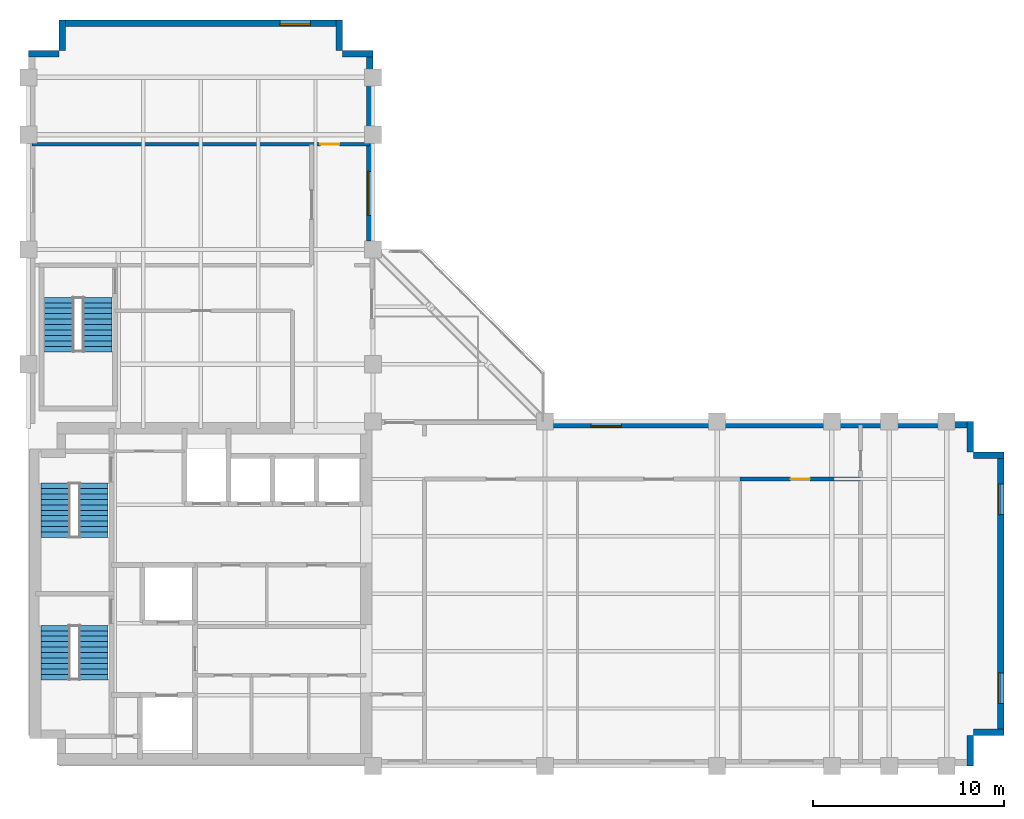
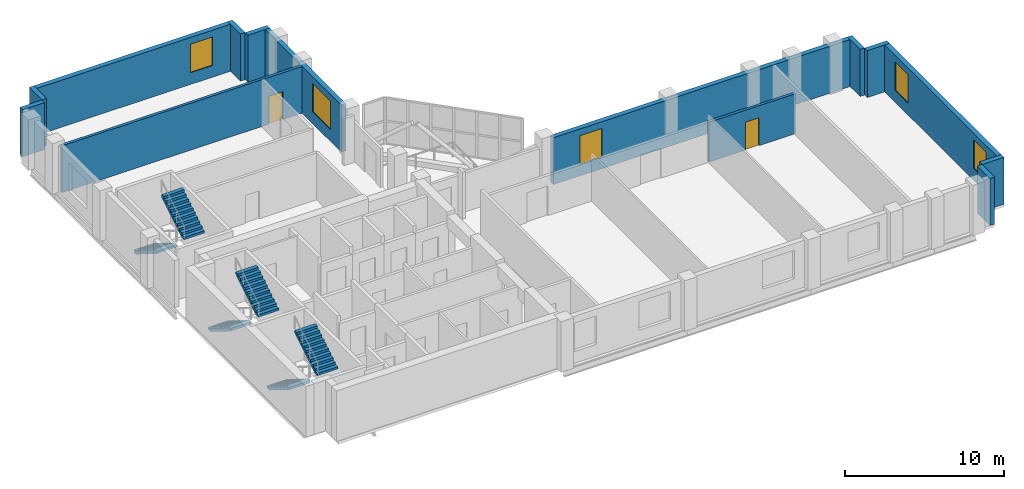
# One storey, part 7 of 9: 14 walls, 6 stair flights, 5 windows, 2 doors, 7 openings, 3 elements without a shape of their own.
"""IFC4 building model written with IfcOpenShell, lengths in metres."""

from ifc_helpers import new_model, si_unit, direction, frame, frame_2d, origin, place, context, subcontext, project, spatial, polyline, rectangle, outline, extrude, material, layer, layer_set, type_object, element, fill, aggregate, save


model = new_model("IFC4")

# Units and contexts
model_context = context("Model", 3, precision=1e-05, world=origin(), true_north=direction((0.0, 1.0)))
body_context = subcontext(model_context, "Body", "Model", "MODEL_VIEW")
ifc_project = project(units=[si_unit("LENGTHUNIT", "METRE"), si_unit("AREAUNIT", "SQUARE_METRE"), si_unit("VOLUMEUNIT", "CUBIC_METRE"), si_unit("PLANEANGLEUNIT", "RADIAN"), si_unit("MASSUNIT", "GRAM", prefix="KILO")], contexts=[model_context])

# Site, building, storey
site_placement = place(None, origin())
site = spatial("IfcSite", under=ifc_project, at=site_placement, CompositionType="ELEMENT")
building_placement = place(site_placement, origin())
building = spatial("IfcBuilding", under=site, at=building_placement, Name="Mawjdan Bourse Tower", CompositionType="ELEMENT")
storey_placement = place(building_placement, frame((0.0, 0.0, 222.89990234375)))
storey = spatial("IfcBuildingStorey", under=building, at=storey_placement, Name="L54", CompositionType="ELEMENT", Elevation=222.89990234375)

# Walls
ifc_material_1 = material(Name="Brick Masonry Buff", Category="masonry")
ifc_layer_1 = layer(ifc_material_1, 0.340087890625)
ifc_layer_set_1 = layer_set([ifc_layer_1], Name="Brick Masonry Buff")
wall_type_1 = type_object("IfcWallType", Name="WL-BRK-SPN-340", PredefinedType="STANDARD", material=ifc_layer_set_1)
for number, where, z_axis, x_axis, name in (
    (1, (55.22998046875, 3.0, 0.0), (0.0, 0.0, 1.0), (0.0, 1.0, 0.0), "L54 Exterior Brick Wall 2"),
    (2, (55.39990234375, 4.77001953125, 0.0), (0.0, 0.0, 1.0), (1.0, 0.0, 0.0), "L54 Exterior Brick Wall 3"),
):
    element("IfcWall", number, at=place(storey_placement, frame(where, z_axis=z_axis, x_axis=x_axis)), inside=storey, type_object=wall_type_1, Name=name, PredefinedType="STANDARD", context=body_context, shape_type="SweptSolid", body=[
        extrude(rectangle(XDim=1.60009765625, YDim=0.340087890625, at=frame_2d((0.800048828125, 0.0))), origin(), (0.0, 0.0, 1.0), 3.6201171875),
    ])

# Wall, openings, windows
wall_1_placement = place(storey_placement, frame((56.830078125, 4.60009765625, 0.0), z_axis=(0.0, 0.0, 1.0), x_axis=(0.0, 1.0, 0.0)))
wall_1 = element("IfcWall", 3, at=wall_1_placement, inside=storey, type_object=wall_type_1, Name="L54 Exterior Brick Wall 4", PredefinedType="STANDARD", context=body_context, shape_type="SweptSolid", body=[
    extrude(rectangle(XDim=14.7998046875, YDim=0.340087890625, at=frame_2d((7.39990234375, 0.0))), origin(), (0.0, 0.0, 1.0), 3.6201171875),
])
opening_1_placement = place(wall_1_placement, frame((1.666748046875, 0.0, 0.89990234375)))
opening_1 = element("IfcOpeningElement", 4, at=opening_1_placement, cuts=wall_1, Name="Opening W-L54-03", PredefinedType="OPENING", context=body_context, shape_type="SweptSolid", body=[
    extrude(rectangle(XDim=1.60009765625, YDim=2.199951171875, at=frame_2d((0.800048828125, 1.10009765625))), frame((0.0, 0.18017578125, 0.0), z_axis=(0.0, -1.0, 0.0), x_axis=(1.0, 0.0, 0.0)), (0.0, 0.0, 1.0), 0.360107421875),
])
opening_2_placement = place(wall_1_placement, frame((11.533203125, 0.0, 0.89990234375)))
opening_2 = element("IfcOpeningElement", 5, at=opening_2_placement, cuts=wall_1, Name="Opening W-L54-04", PredefinedType="OPENING", context=body_context, shape_type="SweptSolid", body=[
    extrude(rectangle(XDim=1.60009765625, YDim=2.199951171875, at=frame_2d((0.800048828125, 1.10009765625))), frame((0.0, 0.18017578125, 0.0), z_axis=(0.0, -1.0, 0.0), x_axis=(1.0, 0.0, 0.0)), (0.0, 0.0, 1.0), 0.360107421875),
])
ifc_material_2 = material(Name="Solar-Control Clear Double Glazing", Category="glass")
window_type_1 = type_object("IfcWindowType", Name="WN-Z3-1600", PartitioningType="SINGLE_PANEL", PredefinedType="WINDOW", material=ifc_material_2)
window_1_placement = place(opening_1_placement, origin())
window_1 = element("IfcWindow", 6, at=window_1_placement, inside=storey, type_object=window_type_1, Name="L54 Deep-Set Masonry Window W-L54-03", OverallHeight=2.199951171875, OverallWidth=1.60009765625, PartitioningType="SINGLE_PANEL", PredefinedType="WINDOW", context=body_context, shape_type="SweptSolid", body=[
    extrude(rectangle(XDim=1.60009765625, YDim=2.199951171875, at=frame_2d((0.800048828125, 1.10009765625))), frame((0.0, 0.110107421875, 0.0), z_axis=(0.0, -1.0, 0.0), x_axis=(1.0, 0.0, 0.0)), (0.0, 0.0, 1.0), 0.06005859375),
])
fill(opening_1, window_1)
window_2_placement = place(opening_2_placement, origin())
window_2 = element("IfcWindow", 7, at=window_2_placement, inside=storey, type_object=window_type_1, Name="L54 Deep-Set Masonry Window W-L54-04", OverallHeight=2.199951171875, OverallWidth=1.60009765625, PartitioningType="SINGLE_PANEL", PredefinedType="WINDOW", context=body_context, shape_type="SweptSolid", body=[
    extrude(rectangle(XDim=1.60009765625, YDim=2.199951171875, at=frame_2d((0.800048828125, 1.10009765625))), frame((0.0, 0.110107421875, 0.0), z_axis=(0.0, -1.0, 0.0), x_axis=(1.0, 0.0, 0.0)), (0.0, 0.0, 1.0), 0.06005859375),
])
fill(opening_2, window_2)

# Walls
for number, where, z_axis, x_axis, name in (
    (8, (57.0, 19.22998046875, 0.0), (0.0, 0.0, 1.0), (-1.0, 0.0, 0.0), "L54 Exterior Brick Wall 5"),
    (9, (55.22998046875, 19.39990234375, 0.0), (0.0, 0.0, 1.0), (0.0, 1.0, 0.0), "L54 Exterior Brick Wall 6"),
):
    element("IfcWall", number, at=place(storey_placement, frame(where, z_axis=z_axis, x_axis=x_axis)), inside=storey, type_object=wall_type_1, Name=name, PredefinedType="STANDARD", context=body_context, shape_type="SweptSolid", body=[
        extrude(rectangle(XDim=1.60009765625, YDim=0.340087890625, at=frame_2d((0.800048828125, 0.0))), origin(), (0.0, 0.0, 1.0), 3.6201171875),
    ])

# Wall, opening, window
wall_2_placement = place(storey_placement, frame((55.39990234375, 20.830078125, 0.0), z_axis=(0.0, 0.0, 1.0), x_axis=(-1.0, 0.0, 0.0)))
wall_2 = element("IfcWall", 10, at=wall_2_placement, inside=storey, type_object=wall_type_1, Name="L54 Exterior Brick Wall 7", PredefinedType="STANDARD", context=body_context, shape_type="SweptSolid", body=[
    extrude(rectangle(XDim=21.949951171875, YDim=0.340087890625, at=frame_2d((10.97509765625, 0.0))), origin(), (0.0, 0.0, 1.0), 3.6201171875),
])
opening_3_placement = place(wall_2_placement, frame((18.40625, 0.0, 0.89990234375)))
opening_3 = element("IfcOpeningElement", 11, at=opening_3_placement, cuts=wall_2, Name="Opening W-L54-05", PredefinedType="OPENING", context=body_context, shape_type="SweptSolid", body=[
    extrude(rectangle(XDim=1.60009765625, YDim=2.199951171875, at=frame_2d((0.800048828125, 1.10009765625))), frame((0.0, 0.18017578125, 0.0), z_axis=(0.0, -1.0, 0.0), x_axis=(1.0, 0.0, 0.0)), (0.0, 0.0, 1.0), 0.360107421875),
])
window_3_placement = place(opening_3_placement, origin())
window_3 = element("IfcWindow", 12, at=window_3_placement, inside=storey, type_object=window_type_1, Name="L54 Deep-Set Masonry Window W-L54-05", OverallHeight=2.199951171875, OverallWidth=1.60009765625, PartitioningType="SINGLE_PANEL", PredefinedType="WINDOW", context=body_context, shape_type="SweptSolid", body=[
    extrude(rectangle(XDim=1.60009765625, YDim=2.199951171875, at=frame_2d((0.800048828125, 1.10009765625))), frame((0.0, 0.110107421875, 0.0), z_axis=(0.0, -1.0, 0.0), x_axis=(1.0, 0.0, 0.0)), (0.0, 0.0, 1.0), 0.06005859375),
])
fill(opening_3, window_3)

wall_3_placement = place(storey_placement, frame((23.830078125, 30.449951171875, 0.0), z_axis=(0.0, 0.0, 1.0), x_axis=(0.0, 1.0, 0.0)))
wall_3 = element("IfcWall", 13, at=wall_3_placement, inside=storey, type_object=wall_type_1, Name="L54 Exterior Brick Wall 8", PredefinedType="STANDARD", context=body_context, shape_type="SweptSolid", body=[
    extrude(rectangle(XDim=9.949951171875, YDim=0.340087890625, at=frame_2d((4.97509765625, 0.0))), origin(), (0.0, 0.0, 1.0), 3.6201171875),
])
opening_4_placement = place(wall_3_placement, frame((1.33740234375, 0.0, 0.89990234375)))
opening_4 = element("IfcOpeningElement", 14, at=opening_4_placement, cuts=wall_3, Name="Opening W-L54-06", PredefinedType="OPENING", context=body_context, shape_type="SweptSolid", body=[
    extrude(rectangle(XDim=2.300048828125, YDim=2.199951171875, at=frame_2d((1.14990234375, 1.10009765625))), frame((0.0, 0.18017578125, 0.0), z_axis=(0.0, -1.0, 0.0), x_axis=(1.0, 0.0, 0.0)), (0.0, 0.0, 1.0), 0.360107421875),
])
window_type_2 = type_object("IfcWindowType", Name="WN-Z3-2300", PartitioningType="SINGLE_PANEL", PredefinedType="WINDOW", material=ifc_material_2)
window_4_placement = place(opening_4_placement, origin())
window_4 = element("IfcWindow", 15, at=window_4_placement, inside=storey, type_object=window_type_2, Name="L54 Deep-Set Masonry Window W-L54-06", OverallHeight=2.199951171875, OverallWidth=2.300048828125, PartitioningType="SINGLE_PANEL", PredefinedType="WINDOW", context=body_context, shape_type="SweptSolid", body=[
    extrude(rectangle(XDim=2.300048828125, YDim=2.199951171875, at=frame_2d((1.14990234375, 1.10009765625))), frame((0.0, 0.110107421875, 0.0), z_axis=(0.0, -1.0, 0.0), x_axis=(1.0, 0.0, 0.0)), (0.0, 0.0, 1.0), 0.06005859375),
])
fill(opening_4, window_4)

# Walls
for number, where, z_axis, x_axis, name in (
    (16, (24.0, 40.22998046875, 0.0), (0.0, 0.0, 1.0), (-1.0, 0.0, 0.0), "L54 Exterior Brick Wall 9"),
    (17, (22.22998046875, 40.39990234375, 0.0), (0.0, 0.0, 1.0), (0.0, 1.0, 0.0), "L54 Exterior Brick Wall 10"),
):
    element("IfcWall", number, at=place(storey_placement, frame(where, z_axis=z_axis, x_axis=x_axis)), inside=storey, type_object=wall_type_1, Name=name, PredefinedType="STANDARD", context=body_context, shape_type="SweptSolid", body=[
        extrude(rectangle(XDim=1.60009765625, YDim=0.340087890625, at=frame_2d((0.800048828125, 0.0))), origin(), (0.0, 0.0, 1.0), 3.6201171875),
    ])

# Wall, opening, window
wall_4_placement = place(storey_placement, frame((22.39990234375, 41.830078125, 0.0), z_axis=(0.0, 0.0, 1.0), x_axis=(-1.0, 0.0, 0.0)))
wall_4 = element("IfcWall", 18, at=wall_4_placement, inside=storey, type_object=wall_type_1, Name="L54 Exterior Brick Wall 11", PredefinedType="STANDARD", context=body_context, shape_type="SweptSolid", body=[
    extrude(rectangle(XDim=14.7998046875, YDim=0.340087890625, at=frame_2d((7.39990234375, 0.0))), origin(), (0.0, 0.0, 1.0), 3.6201171875),
])
opening_5_placement = place(wall_4_placement, frame((1.666748046875, 0.0, 0.89990234375)))
opening_5 = element("IfcOpeningElement", 19, at=opening_5_placement, cuts=wall_4, Name="Opening W-L54-07", PredefinedType="OPENING", context=body_context, shape_type="SweptSolid", body=[
    extrude(rectangle(XDim=1.60009765625, YDim=2.199951171875, at=frame_2d((0.800048828125, 1.10009765625))), frame((0.0, 0.18017578125, 0.0), z_axis=(0.0, -1.0, 0.0), x_axis=(1.0, 0.0, 0.0)), (0.0, 0.0, 1.0), 0.360107421875),
])
window_5_placement = place(opening_5_placement, origin())
window_5 = element("IfcWindow", 20, at=window_5_placement, inside=storey, type_object=window_type_1, Name="L54 Deep-Set Masonry Window W-L54-07", OverallHeight=2.199951171875, OverallWidth=1.60009765625, PartitioningType="SINGLE_PANEL", PredefinedType="WINDOW", context=body_context, shape_type="SweptSolid", body=[
    extrude(rectangle(XDim=1.60009765625, YDim=2.199951171875, at=frame_2d((0.800048828125, 1.10009765625))), frame((0.0, 0.110107421875, 0.0), z_axis=(0.0, -1.0, 0.0), x_axis=(1.0, 0.0, 0.0)), (0.0, 0.0, 1.0), 0.06005859375),
])
fill(opening_5, window_5)

# Walls
for number, where, z_axis, x_axis, name in (
    (21, (7.77001953125, 42.0, 0.0), (0.0, 0.0, 1.0), (0.0, -1.0, 0.0), "L54 Exterior Brick Wall 12"),
    (22, (7.60009765625, 40.22998046875, 0.0), (0.0, 0.0, 1.0), (-1.0, 0.0, 0.0), "L54 Exterior Brick Wall 13"),
):
    element("IfcWall", number, at=place(storey_placement, frame(where, z_axis=z_axis, x_axis=x_axis)), inside=storey, type_object=wall_type_1, Name=name, PredefinedType="STANDARD", context=body_context, shape_type="SweptSolid", body=[
        extrude(rectangle(XDim=1.60009765625, YDim=0.340087890625, at=frame_2d((0.800048828125, 0.0))), origin(), (0.0, 0.0, 1.0), 3.6201171875),
    ])

# Wall, opening, door
ifc_material_3 = material(Name="Gypsum Fireboard Assembly")
ifc_layer_2 = layer(ifc_material_3, 0.199951171875)
ifc_layer_set_2 = layer_set([ifc_layer_2], Name="Gypsum Fireboard Assembly")
wall_type_2 = type_object("IfcWallType", Name="WL-CMP-200", PredefinedType="PARTITIONING", material=ifc_layer_set_2)
wall_5_placement = place(storey_placement, frame((43.199951171875, 18.0, 0.0), z_axis=(0.0, 0.0, 1.0), x_axis=(1.0, 0.0, 0.0)))
wall_5 = element("IfcWall", 23, at=wall_5_placement, inside=storey, type_object=wall_type_2, Name="L54 Executive Office Corridor Wall", PredefinedType="PARTITIONING", context=body_context, shape_type="SweptSolid", body=[
    extrude(rectangle(XDim=6.300048828125, YDim=0.199951171875, at=frame_2d((3.14990234375, 0.0))), origin(), (0.0, 0.0, 1.0), 3.072998046875),
])
opening_6_placement = place(wall_5_placement, frame((2.64990234375, 0.0, 0.0)))
opening_6 = element("IfcOpeningElement", 24, at=opening_6_placement, cuts=wall_5, Name="Opening D-L54-25", PredefinedType="OPENING", context=body_context, shape_type="SweptSolid", body=[
    extrude(rectangle(XDim=1.0, YDim=2.14990234375, at=frame_2d((0.5, 1.074951171875))), frame((0.0, 0.10986328125, 0.0), z_axis=(0.0, -1.0, 0.0), x_axis=(1.0, 0.0, 0.0)), (0.0, 0.0, 1.0), 0.219970703125),
])
ifc_material_4 = material(Name="Hardwood Acoustic Leaf", Category="wood")
door_type = type_object("IfcDoorType", Name="DR-OFC-1000", OperationType="NOTDEFINED", PredefinedType="DOOR", material=ifc_material_4)
door_1_placement = place(opening_6_placement, origin())
door_1 = element("IfcDoor", 25, at=door_1_placement, inside=storey, type_object=door_type, Name="L54 Executive Office Door D-L54-25", OperationType="SINGLE_SWING_LEFT", OverallHeight=2.14990234375, OverallWidth=1.0, PredefinedType="DOOR", context=body_context, shape_type="SweptSolid", body=[
    extrude(rectangle(XDim=1.0, YDim=2.14990234375, at=frame_2d((0.5, 1.074951171875))), frame((0.0, 0.02490234375, 0.0), z_axis=(0.0, -1.0, 0.0), x_axis=(1.0, 0.0, 0.0)), (0.0, 0.0, 1.0), 0.050048828125),
])
fill(opening_6, door_1)

wall_6_placement = place(storey_placement, frame((6.179931640625, 35.5, 0.0), z_axis=(0.0, 0.0, 1.0), x_axis=(1.0, 0.0, 0.0)))
wall_6 = element("IfcWall", 26, at=wall_6_placement, inside=storey, type_object=wall_type_2, Name="L54 North Tip Full Cross Wall", PredefinedType="PARTITIONING", context=body_context, shape_type="SweptSolid", body=[
    extrude(rectangle(XDim=17.64013671875, YDim=0.199951171875, at=frame_2d((8.820068359375, 0.0))), origin(), (0.0, 0.0, 1.0), 3.610107421875),
])
opening_7_placement = place(wall_6_placement, frame((15.074951171875, 0.0, 0.0)))
opening_7 = element("IfcOpeningElement", 27, at=opening_7_placement, cuts=wall_6, Name="Opening D-L54-29", PredefinedType="OPENING", context=body_context, shape_type="SweptSolid", body=[
    extrude(rectangle(XDim=1.0, YDim=2.14990234375, at=frame_2d((0.5, 1.074951171875))), frame((0.0, 0.10986328125, 0.0), z_axis=(0.0, -1.0, 0.0), x_axis=(1.0, 0.0, 0.0)), (0.0, 0.0, 1.0), 0.219970703125),
])
door_2_placement = place(opening_7_placement, origin())
door_2 = element("IfcDoor", 28, at=door_2_placement, inside=storey, type_object=door_type, Name="L54 North Tip Suite Door D-L54-29", OperationType="SINGLE_SWING_RIGHT", OverallHeight=2.14990234375, OverallWidth=1.0, PredefinedType="DOOR", context=body_context, shape_type="SweptSolid", body=[
    extrude(rectangle(XDim=1.0, YDim=2.14990234375, at=frame_2d((0.5, 1.074951171875))), frame((0.0, 0.02490234375, 0.0), z_axis=(0.0, -1.0, 0.0), x_axis=(1.0, 0.0, 0.0)), (0.0, 0.0, 1.0), 0.050048828125),
])
fill(opening_7, door_2)

# Stair, stair flights
ifc_material_5 = material(Name="Concrete C50/60", Category="concrete")
stair_type = type_object("IfcStairType", Name="STR-CORE-1500", PredefinedType="HALF_TURN_STAIR", material=ifc_material_5)
stair_1_placement = place(storey_placement, origin())
stair_1 = element("IfcStair", 29, at=stair_1_placement, inside=storey, type_object=stair_type, Name="L54 Exit Stair 1 (Core South-West)", PredefinedType="HALF_TURN_STAIR")
stair_flight_type = type_object("IfcStairFlightType", Name="SFL-RC-1500", PredefinedType="STRAIGHT", material=ifc_material_5)
stair_flight_1_placement = place(storey_placement, frame((7.389892578125, 10.35009765625, 0.0), z_axis=(0.0, 0.0, 1.0), x_axis=(0.0, -1.0, 0.0)))
stair_flight_1 = element("IfcStairFlight", 30, at=stair_flight_1_placement, type_object=stair_flight_type, Name="ST1-L54 flight 1", NumberOfRisers=11, NumberOfTreads=10, PredefinedType="STRAIGHT", RiserHeight=0.177273, TreadLength=0.285, context=body_context, shape_type="SweptSolid", body=[
    extrude(outline(polyline([(0.0, 0.0), (0.0, 0.17724609375), (0.284912109375, 0.17724609375), (0.284912109375, 0.3544921875), (0.570068359375, 0.3544921875), (0.570068359375, 0.53173828125), (0.85498046875, 0.53173828125), (0.85498046875, 0.708984375), (1.139892578125, 0.708984375), (1.139892578125, 0.886474609375), (1.425048828125, 0.886474609375), (1.425048828125, 1.063720703125), (1.7099609375, 1.063720703125), (1.7099609375, 1.240966796875), (1.9951171875, 1.240966796875), (1.9951171875, 1.418212890625), (2.280029296875, 1.418212890625), (2.280029296875, 1.595458984375), (2.56494140625, 1.595458984375), (2.56494140625, 1.772705078125), (2.85009765625, 1.772705078125), (2.85009765625, 1.949951171875), (2.85009765625, 1.58447265625), (0.302734375, 0.0), (0.0, 0.0)])), frame((0.0, 0.75, 0.0), z_axis=(0.0, -1.0, 0.0), x_axis=(1.0, 0.0, 0.0)), (0.0, 0.0, 1.0), 1.5),
])
stair_flight_2_placement = place(storey_placement, frame((9.409912109375, 7.5, 1.9501953125), z_axis=(0.0, 0.0, 1.0), x_axis=(0.0, 1.0, 0.0)))
stair_flight_2 = element("IfcStairFlight", 31, at=stair_flight_2_placement, type_object=stair_flight_type, Name="ST1-L54 flight 2", NumberOfRisers=11, NumberOfTreads=10, PredefinedType="STRAIGHT", RiserHeight=0.177273, TreadLength=0.285, context=body_context, shape_type="SweptSolid", body=[
    extrude(outline(polyline([(0.0, 0.0), (0.0, 0.17724609375), (0.284912109375, 0.17724609375), (0.284912109375, 0.3544921875), (0.570068359375, 0.3544921875), (0.570068359375, 0.53173828125), (0.85498046875, 0.53173828125), (0.85498046875, 0.708984375), (1.139892578125, 0.708984375), (1.139892578125, 0.886474609375), (1.425048828125, 0.886474609375), (1.425048828125, 1.063720703125), (1.7099609375, 1.063720703125), (1.7099609375, 1.240966796875), (1.9951171875, 1.240966796875), (1.9951171875, 1.418212890625), (2.280029296875, 1.418212890625), (2.280029296875, 1.595458984375), (2.56494140625, 1.595458984375), (2.56494140625, 1.772705078125), (2.85009765625, 1.772705078125), (2.85009765625, 1.949951171875), (2.85009765625, 1.58447265625), (0.302734375, 0.0), (0.0, 0.0)])), frame((0.0, 0.75, 0.0), z_axis=(0.0, -1.0, 0.0), x_axis=(1.0, 0.0, 0.0)), (0.0, 0.0, 1.0), 1.5),
])
aggregate(stair_1, [stair_flight_1, stair_flight_2])

stair_2_placement = place(storey_placement, origin())
stair_2 = element("IfcStair", 32, at=stair_2_placement, inside=storey, type_object=stair_type, Name="L54 Exit Stair 2 (Core North-West)", PredefinedType="HALF_TURN_STAIR")
stair_flight_3_placement = place(storey_placement, frame((7.389892578125, 17.7900390625, 0.0), z_axis=(0.0, 0.0, 1.0), x_axis=(0.0, -1.0, 0.0)))
stair_flight_3 = element("IfcStairFlight", 33, at=stair_flight_3_placement, type_object=stair_flight_type, Name="ST2-L54 flight 1", NumberOfRisers=11, NumberOfTreads=10, PredefinedType="STRAIGHT", RiserHeight=0.177273, TreadLength=0.285, context=body_context, shape_type="SweptSolid", body=[
    extrude(outline(polyline([(0.0, 0.0), (0.0, 0.17724609375), (0.284912109375, 0.17724609375), (0.284912109375, 0.3544921875), (0.570068359375, 0.3544921875), (0.570068359375, 0.53173828125), (0.85498046875, 0.53173828125), (0.85498046875, 0.708984375), (1.139892578125, 0.708984375), (1.139892578125, 0.886474609375), (1.425048828125, 0.886474609375), (1.425048828125, 1.063720703125), (1.7099609375, 1.063720703125), (1.7099609375, 1.240966796875), (1.9951171875, 1.240966796875), (1.9951171875, 1.418212890625), (2.280029296875, 1.418212890625), (2.280029296875, 1.595458984375), (2.56494140625, 1.595458984375), (2.56494140625, 1.772705078125), (2.85009765625, 1.772705078125), (2.85009765625, 1.949951171875), (2.85009765625, 1.58447265625), (0.302734375, 0.0), (0.0, 0.0)])), frame((0.0, 0.75, 0.0), z_axis=(0.0, -1.0, 0.0), x_axis=(1.0, 0.0, 0.0)), (0.0, 0.0, 1.0), 1.5),
])
stair_flight_4_placement = place(storey_placement, frame((9.409912109375, 14.93994140625, 1.9501953125), z_axis=(0.0, 0.0, 1.0), x_axis=(0.0, 1.0, 0.0)))
stair_flight_4 = element("IfcStairFlight", 34, at=stair_flight_4_placement, type_object=stair_flight_type, Name="ST2-L54 flight 2", NumberOfRisers=11, NumberOfTreads=10, PredefinedType="STRAIGHT", RiserHeight=0.177273, TreadLength=0.285, context=body_context, shape_type="SweptSolid", body=[
    extrude(outline(polyline([(0.0, 0.0), (0.0, 0.17724609375), (0.284912109375, 0.17724609375), (0.284912109375, 0.3544921875), (0.570068359375, 0.3544921875), (0.570068359375, 0.53173828125), (0.85498046875, 0.53173828125), (0.85498046875, 0.708984375), (1.139892578125, 0.708984375), (1.139892578125, 0.886474609375), (1.425048828125, 0.886474609375), (1.425048828125, 1.063720703125), (1.7099609375, 1.063720703125), (1.7099609375, 1.240966796875), (1.9951171875, 1.240966796875), (1.9951171875, 1.418212890625), (2.280029296875, 1.418212890625), (2.280029296875, 1.595458984375), (2.56494140625, 1.595458984375), (2.56494140625, 1.772705078125), (2.85009765625, 1.772705078125), (2.85009765625, 1.949951171875), (2.85009765625, 1.58447265625), (0.302734375, 0.0), (0.0, 0.0)])), frame((0.0, 0.75, 0.0), z_axis=(0.0, -1.0, 0.0), x_axis=(1.0, 0.0, 0.0)), (0.0, 0.0, 1.0), 1.5),
])
aggregate(stair_2, [stair_flight_3, stair_flight_4])

stair_3_placement = place(storey_placement, origin())
stair_3 = element("IfcStair", 35, at=stair_3_placement, inside=storey, type_object=stair_type, Name="L54 Exit Stair 3 (North Wing)", PredefinedType="HALF_TURN_STAIR")
stair_flight_5_placement = place(storey_placement, frame((7.590087890625, 27.5, 0.0), z_axis=(0.0, 0.0, 1.0), x_axis=(0.0, -1.0, 0.0)))
stair_flight_5 = element("IfcStairFlight", 36, at=stair_flight_5_placement, type_object=stair_flight_type, Name="ST3-L54 flight 1", NumberOfRisers=11, NumberOfTreads=10, PredefinedType="STRAIGHT", RiserHeight=0.177273, TreadLength=0.285, context=body_context, shape_type="SweptSolid", body=[
    extrude(outline(polyline([(0.0, 0.0), (0.0, 0.17724609375), (0.284912109375, 0.17724609375), (0.284912109375, 0.3544921875), (0.570068359375, 0.3544921875), (0.570068359375, 0.53173828125), (0.85498046875, 0.53173828125), (0.85498046875, 0.708984375), (1.139892578125, 0.708984375), (1.139892578125, 0.886474609375), (1.425048828125, 0.886474609375), (1.425048828125, 1.063720703125), (1.7099609375, 1.063720703125), (1.7099609375, 1.240966796875), (1.9951171875, 1.240966796875), (1.9951171875, 1.418212890625), (2.280029296875, 1.418212890625), (2.280029296875, 1.595458984375), (2.56494140625, 1.595458984375), (2.56494140625, 1.772705078125), (2.85009765625, 1.772705078125), (2.85009765625, 1.949951171875), (2.85009765625, 1.58447265625), (0.302734375, 0.0), (0.0, 0.0)])), frame((0.0, 0.75, 0.0), z_axis=(0.0, -1.0, 0.0), x_axis=(1.0, 0.0, 0.0)), (0.0, 0.0, 1.0), 1.5),
])
stair_flight_6_placement = place(storey_placement, frame((9.610107421875, 24.64990234375, 1.9501953125), z_axis=(0.0, 0.0, 1.0), x_axis=(0.0, 1.0, 0.0)))
stair_flight_6 = element("IfcStairFlight", 37, at=stair_flight_6_placement, type_object=stair_flight_type, Name="ST3-L54 flight 2", NumberOfRisers=11, NumberOfTreads=10, PredefinedType="STRAIGHT", RiserHeight=0.177273, TreadLength=0.285, context=body_context, shape_type="SweptSolid", body=[
    extrude(outline(polyline([(0.0, 0.0), (0.0, 0.17724609375), (0.284912109375, 0.17724609375), (0.284912109375, 0.3544921875), (0.570068359375, 0.3544921875), (0.570068359375, 0.53173828125), (0.85498046875, 0.53173828125), (0.85498046875, 0.708984375), (1.139892578125, 0.708984375), (1.139892578125, 0.886474609375), (1.425048828125, 0.886474609375), (1.425048828125, 1.063720703125), (1.7099609375, 1.063720703125), (1.7099609375, 1.240966796875), (1.9951171875, 1.240966796875), (1.9951171875, 1.418212890625), (2.280029296875, 1.418212890625), (2.280029296875, 1.595458984375), (2.56494140625, 1.595458984375), (2.56494140625, 1.772705078125), (2.85009765625, 1.772705078125), (2.85009765625, 1.949951171875), (2.85009765625, 1.58447265625), (0.302734375, 0.0), (0.0, 0.0)])), frame((0.0, 0.75, 0.0), z_axis=(0.0, -1.0, 0.0), x_axis=(1.0, 0.0, 0.0)), (0.0, 0.0, 1.0), 1.5),
])
aggregate(stair_3, [stair_flight_5, stair_flight_6])

save(model, "model.ifc")
